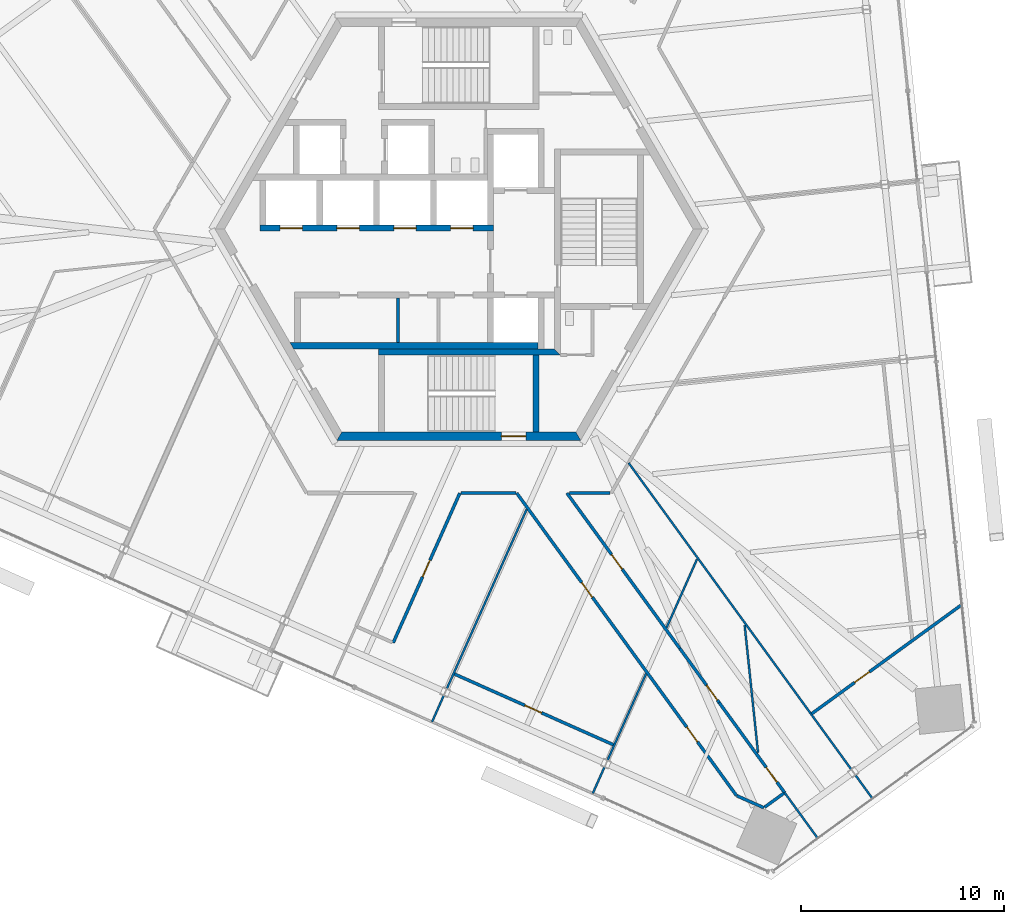
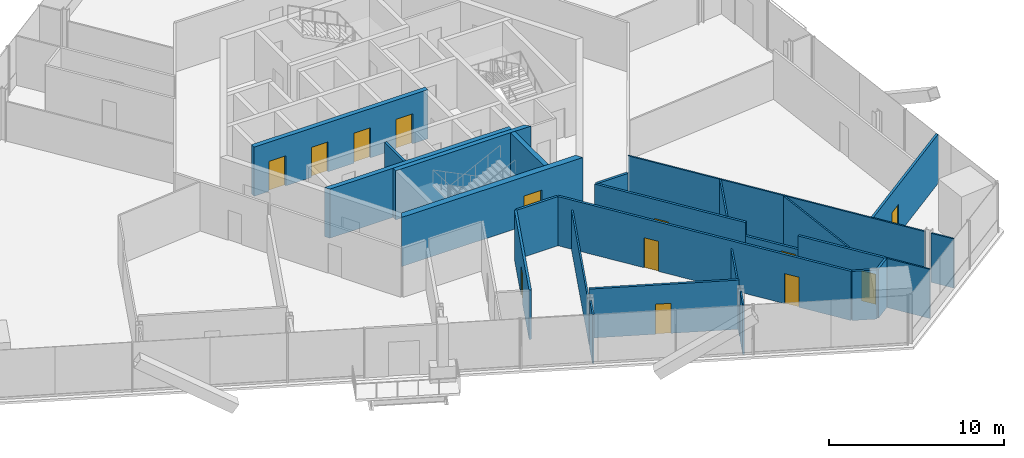
# One storey, part 11 of 18: 26 walls, 13 doors, 13 openings.
"""IFC4 building model written with IfcOpenShell, lengths in metres."""

from ifc_helpers import new_model, si_unit, direction, frame, frame_2d, origin, place, context, subcontext, project, spatial, polyline, rectangle, outline, extrude, source, transform, mapped, material, layer, layer_set, type_object, element, fill, save


model = new_model("IFC4")

# Units and contexts
model_context = context("Model", 3, precision=1e-05, world=origin(), true_north=direction((0.0, 1.0)))
body_context = subcontext(model_context, "Body", "Model", "MODEL_VIEW")
ifc_project = project(units=[si_unit("LENGTHUNIT", "METRE"), si_unit("AREAUNIT", "SQUARE_METRE"), si_unit("VOLUMEUNIT", "CUBIC_METRE"), si_unit("PLANEANGLEUNIT", "RADIAN"), si_unit("MASSUNIT", "GRAM", prefix="KILO")], contexts=[model_context])

# Site, building, storey
site_placement = place(None, origin())
site = spatial("IfcSite", under=ifc_project, at=site_placement, CompositionType="ELEMENT")
building_placement = place(site_placement, origin())
building = spatial("IfcBuilding", under=site, at=building_placement, Name="Triune Harvest Tower", CompositionType="ELEMENT")
storey_placement = place(building_placement, frame((0.0, 0.0, 83.699951171875)))
storey = spatial("IfcBuildingStorey", under=building, at=storey_placement, Name="L20", CompositionType="ELEMENT", Elevation=83.699951171875)

# Walls
ifc_material_1 = material(Name="Gypsum board on steel studs", Category="steel")
ifc_layer_1 = layer(ifc_material_1, 0.10009765625)
ifc_layer_set_1 = layer_set([ifc_layer_1], Name="Gypsum board on steel studs")
wall_type_1 = type_object("IfcWallType", Name="Partition 100 mm", PredefinedType="PARTITIONING", material=ifc_layer_set_1)
wall_1_placement = place(storey_placement, frame((7.323486328125, -26.144775390625, 0.0), z_axis=(0.0, 0.0, 1.0), x_axis=(0.406780377574, 0.913525984535, 0.0)))
element("IfcWall", 1, at=wall_1_placement, inside=storey, type_object=wall_type_1, Name="Partition L20 043", PredefinedType="PARTITIONING", context=body_context, shape_type="SweptSolid", body=[
    extrude(rectangle(XDim=4.657470703125, YDim=0.10009765625, at=frame_2d((2.32861328125, 0.0))), origin(), (0.0, 0.0, 1.0), 2.904052734375),
])
wall_2_placement = place(storey_placement, frame((-0.58984375, -22.62158203125, 0.0), z_axis=(0.0, 0.0, 1.0), x_axis=(0.406748136675, 0.913540340276, 0.0)))
element("IfcWall", 2, at=wall_2_placement, inside=storey, type_object=wall_type_1, Name="Partition L20 046", PredefinedType="PARTITIONING", context=body_context, shape_type="SweptSolid", body=[
    extrude(rectangle(XDim=9.658935546875, YDim=0.10009765625, at=frame_2d((4.82958984375, 0.0))), origin(), (0.0, 0.0, 1.0), 2.7568359375),
])

# Wall, opening, door
ifc_material_2 = material(Name="Concrete 70 MPa", Category="concrete")
ifc_layer_2 = layer(ifc_material_2, 0.39990234375)
ifc_layer_set_2 = layer_set([ifc_layer_2], Name="Concrete 70 MPa")
wall_type_2 = type_object("IfcWallType", Name="Core wall 400", PredefinedType="SHEAR", material=ifc_layer_set_2)
shared_shape_1 = source(origin(), body_context, "Body", "SweptSolid", [
    extrude(outline(polyline([(-0.115478515625, -0.199951171875), (11.884521484375, -0.199951171875), (11.653564453125, 0.199951171875), (0.115478515625, 0.199951171875), (-0.115478515625, -0.199951171875)])), origin(), (0.0, 0.0, 1.0), 3.43994140625),
])
wall_3_placement = place(storey_placement, frame((-5.884521484375, -10.1923828125, 0.0), z_axis=(0.0, 0.0, 1.0), x_axis=(1.0, 0.0, 0.0)))
wall_3 = element("IfcWall", 3, at=wall_3_placement, inside=storey, type_object=wall_type_2, Name="Hexagon 4 wall", PredefinedType="SHEAR", context=body_context, shape_type="MappedRepresentation", body=[
    mapped(shared_shape_1, transform((0.0, 0.0, 0.0), scale=1.0)),
])
opening_1_placement = place(wall_3_placement, frame((7.984619140625, 0.0, 0.0)))
opening_1 = element("IfcOpeningElement", 4, at=opening_1_placement, cuts=wall_3, Name="Opening CD-S2P", PredefinedType="OPENING", context=body_context, shape_type="SweptSolid", body=[
    extrude(rectangle(XDim=1.199951171875, YDim=2.10009765625, at=frame_2d((0.60009765625, 1.050048828125))), frame((0.0, 0.2099609375, 0.0), z_axis=(0.0, -1.0, 0.0), x_axis=(1.0, 0.0, 0.0)), (0.0, 0.0, 1.0), 0.419921875),
])
ifc_material_3 = material(Name="Steel S235", Category="steel")
door_type_1 = type_object("IfcDoorType", Name="Stair door 1200 FD120", OperationType="SINGLE_SWING_LEFT", PredefinedType="DOOR", material=ifc_material_3)
door_1_placement = place(opening_1_placement, frame((1.199951171875, 0.0, 0.0), z_axis=(0.0, 0.0, 1.0), x_axis=(-1.0, 0.0, 0.0)))
door_1 = element("IfcDoor", 5, at=door_1_placement, inside=storey, type_object=door_type_1, Name="Door CD-S2P", OperationType="SINGLE_SWING_RIGHT", OverallHeight=2.10009765625, OverallWidth=1.199951171875, PredefinedType="DOOR", context=body_context, shape_type="SweptSolid", body=[
    extrude(rectangle(XDim=1.199951171875, YDim=2.10009765625, at=frame_2d((0.60009765625, 1.050048828125))), frame((0.0, 0.02490234375, 0.0), z_axis=(0.0, -1.0, 0.0), x_axis=(1.0, 0.0, 0.0)), (0.0, 0.0, 1.0), 0.050048828125),
])
fill(opening_1, door_1)

# Wall, openings, doors
ifc_material_4 = material(Name="Concrete 70 MPa", Category="concrete")
ifc_layer_3 = layer(ifc_material_4, 0.300048828125)
ifc_layer_set_3 = layer_set([ifc_layer_3], Name="Concrete 70 MPa")
wall_type_3 = type_object("IfcWallType", Name="Core wall 300", PredefinedType="SHEAR", material=ifc_layer_set_3)
shared_shape_2 = source(origin(), body_context, "Body", "SweptSolid", [
    extrude(rectangle(XDim=11.5, YDim=0.300048828125, at=frame_2d((5.75, 0.0))), origin(), (0.0, 0.0, 1.0), 3.43994140625),
])
wall_4_placement = place(storey_placement, frame((-9.800048828125, 0.06005859375, 0.0), z_axis=(0.0, 0.0, 1.0), x_axis=(1.0, 0.0, 0.0)))
wall_4 = element("IfcWall", 6, at=wall_4_placement, inside=storey, type_object=wall_type_3, Name="North front wall", PredefinedType="SHEAR", context=body_context, shape_type="MappedRepresentation", body=[
    mapped(shared_shape_2, transform((0.0, 0.0, 0.0), scale=1.0)),
])
opening_2_placement = place(wall_4_placement, frame((1.0, 0.0, 0.0)))
opening_2 = element("IfcOpeningElement", 7, at=opening_2_placement, cuts=wall_4, Name="Opening LD-LR1-20", PredefinedType="OPENING", context=body_context, shape_type="SweptSolid", body=[
    extrude(rectangle(XDim=1.10009765625, YDim=2.10009765625, at=frame_2d((0.550048828125, 1.050048828125))), frame((0.0, 0.16015625, 0.0), z_axis=(0.0, -1.0, 0.0), x_axis=(1.0, 0.0, 0.0)), (0.0, 0.0, 1.0), 0.320068359375),
])
opening_3_placement = place(wall_4_placement, frame((3.800048828125, 0.0, 0.0)))
opening_3 = element("IfcOpeningElement", 8, at=opening_3_placement, cuts=wall_4, Name="Opening LD-LR2-20", PredefinedType="OPENING", context=body_context, shape_type="SweptSolid", body=[
    extrude(rectangle(XDim=1.10009765625, YDim=2.10009765625, at=frame_2d((0.550048828125, 1.050048828125))), frame((0.0, 0.16015625, 0.0), z_axis=(0.0, -1.0, 0.0), x_axis=(1.0, 0.0, 0.0)), (0.0, 0.0, 1.0), 0.320068359375),
])
opening_4_placement = place(wall_4_placement, frame((6.60009765625, 0.0, 0.0)))
opening_4 = element("IfcOpeningElement", 9, at=opening_4_placement, cuts=wall_4, Name="Opening LD-LR3-20", PredefinedType="OPENING", context=body_context, shape_type="SweptSolid", body=[
    extrude(rectangle(XDim=1.10009765625, YDim=2.10009765625, at=frame_2d((0.550048828125, 1.050048828125))), frame((0.0, 0.16015625, 0.0), z_axis=(0.0, -1.0, 0.0), x_axis=(1.0, 0.0, 0.0)), (0.0, 0.0, 1.0), 0.320068359375),
])
opening_5_placement = place(wall_4_placement, frame((9.39990234375, 0.0, 0.0)))
opening_5 = element("IfcOpeningElement", 10, at=opening_5_placement, cuts=wall_4, Name="Opening LD-LR4-20", PredefinedType="OPENING", context=body_context, shape_type="SweptSolid", body=[
    extrude(rectangle(XDim=1.10009765625, YDim=2.10009765625, at=frame_2d((0.550048828125, 1.050048828125))), frame((0.0, 0.16015625, 0.0), z_axis=(0.0, -1.0, 0.0), x_axis=(1.0, 0.0, 0.0)), (0.0, 0.0, 1.0), 0.320068359375),
])
ifc_material_5 = material(Name="Stainless steel AISI 304", Category="steel")
door_type_2 = type_object("IfcDoorType", Name="Landing door 1100 x 2100", OperationType="DOUBLE_DOOR_SLIDING", PredefinedType="DOOR", material=ifc_material_5)
door_2_placement = place(opening_2_placement, origin())
door_2 = element("IfcDoor", 11, at=door_2_placement, inside=storey, type_object=door_type_2, Name="Door LD-LR1-20", OperationType="DOUBLE_DOOR_SLIDING", OverallHeight=2.10009765625, OverallWidth=1.10009765625, PredefinedType="DOOR", context=body_context, shape_type="SweptSolid", body=[
    extrude(rectangle(XDim=1.10009765625, YDim=2.10009765625, at=frame_2d((0.550048828125, 1.050048828125))), frame((0.0, 0.02490234375, 0.0), z_axis=(0.0, -1.0, 0.0), x_axis=(1.0, 0.0, 0.0)), (0.0, 0.0, 1.0), 0.050048828125),
])
fill(opening_2, door_2)
door_3_placement = place(opening_3_placement, origin())
door_3 = element("IfcDoor", 12, at=door_3_placement, inside=storey, type_object=door_type_2, Name="Door LD-LR2-20", OperationType="DOUBLE_DOOR_SLIDING", OverallHeight=2.10009765625, OverallWidth=1.10009765625, PredefinedType="DOOR", context=body_context, shape_type="SweptSolid", body=[
    extrude(rectangle(XDim=1.10009765625, YDim=2.10009765625, at=frame_2d((0.550048828125, 1.050048828125))), frame((0.0, 0.02490234375, 0.0), z_axis=(0.0, -1.0, 0.0), x_axis=(1.0, 0.0, 0.0)), (0.0, 0.0, 1.0), 0.050048828125),
])
fill(opening_3, door_3)
door_4_placement = place(opening_4_placement, origin())
door_4 = element("IfcDoor", 13, at=door_4_placement, inside=storey, type_object=door_type_2, Name="Door LD-LR3-20", OperationType="DOUBLE_DOOR_SLIDING", OverallHeight=2.10009765625, OverallWidth=1.10009765625, PredefinedType="DOOR", context=body_context, shape_type="SweptSolid", body=[
    extrude(rectangle(XDim=1.10009765625, YDim=2.10009765625, at=frame_2d((0.550048828125, 1.050048828125))), frame((0.0, 0.02490234375, 0.0), z_axis=(0.0, -1.0, 0.0), x_axis=(1.0, 0.0, 0.0)), (0.0, 0.0, 1.0), 0.050048828125),
])
fill(opening_4, door_4)
door_5_placement = place(opening_5_placement, origin())
door_5 = element("IfcDoor", 14, at=door_5_placement, inside=storey, type_object=door_type_2, Name="Door LD-LR4-20", OperationType="DOUBLE_DOOR_SLIDING", OverallHeight=2.10009765625, OverallWidth=1.10009765625, PredefinedType="DOOR", context=body_context, shape_type="SweptSolid", body=[
    extrude(rectangle(XDim=1.10009765625, YDim=2.10009765625, at=frame_2d((0.550048828125, 1.050048828125))), frame((0.0, 0.02490234375, 0.0), z_axis=(0.0, -1.0, 0.0), x_axis=(1.0, 0.0, 0.0)), (0.0, 0.0, 1.0), 0.050048828125),
])
fill(opening_5, door_5)

# Walls
shared_shape_3 = source(origin(), body_context, "Body", "SweptSolid", [
    extrude(outline(polyline([(12.0, -0.14990234375), (-0.039794921875, -0.14990234375), (-0.212890625, 0.14990234375), (12.0, 0.14990234375), (12.0, -0.14990234375)])), origin(), (0.0, 0.0, 1.0), 3.43994140625),
])
wall_5_placement = place(storey_placement, frame((-8.10009765625, -5.739990234375, 0.0), z_axis=(0.0, 0.0, 1.0), x_axis=(1.0, 0.0, 0.0)))
element("IfcWall", 15, at=wall_5_placement, inside=storey, type_object=wall_type_3, Name="South back wall", PredefinedType="SHEAR", context=body_context, shape_type="MappedRepresentation", body=[
    mapped(shared_shape_3, transform((0.0, 0.0, 0.0), scale=1.0)),
])
shared_shape_4 = source(origin(), body_context, "Body", "SweptSolid", [
    extrude(outline(polyline([(0.0, -0.14990234375), (8.949951171875, -0.14990234375), (8.64990234375, 0.14990234375), (0.0, 0.14990234375), (0.0, -0.14990234375)])), origin(), (0.0, 0.0, 1.0), 3.43994140625),
])
wall_6_placement = place(storey_placement, frame((-3.949951171875, -6.0400390625, 0.0), z_axis=(0.0, 0.0, 1.0), x_axis=(1.0, 0.0, 0.0)))
element("IfcWall", 16, at=wall_6_placement, inside=storey, type_object=wall_type_3, Name="Stair s north wall", PredefinedType="SHEAR", context=body_context, shape_type="MappedRepresentation", body=[
    mapped(shared_shape_4, transform((0.0, 0.0, 0.0), scale=1.0)),
])
shared_shape_5 = source(origin(), body_context, "Body", "SweptSolid", [
    extrude(outline(polyline([(3.800048828125, -0.14990234375), (-0.00439453125, -0.14990234375), (-0.00439453125, 0.14990234375), (3.800048828125, 0.14990234375), (3.800048828125, -0.14990234375)])), origin(), (0.0, 0.0, 1.0), 3.43994140625),
])
wall_7_placement = place(storey_placement, frame((3.800048828125, -9.989990234375, 0.0), z_axis=(0.0, 0.0, 1.0), x_axis=(0.0, 1.0, 0.0)))
element("IfcWall", 17, at=wall_7_placement, inside=storey, type_object=wall_type_3, Name="Stair s east wall", PredefinedType="SHEAR", context=body_context, shape_type="MappedRepresentation", body=[
    mapped(shared_shape_5, transform((0.0, 0.0, 0.0), scale=1.0)),
])
ifc_material_6 = material(Name="Concrete masonry unit", Category="masonry")
ifc_layer_4 = layer(ifc_material_6, 0.14990234375)
ifc_layer_set_4 = layer_set([ifc_layer_4], Name="Concrete masonry unit")
wall_type_4 = type_object("IfcWallType", Name="Block partition 150", PredefinedType="PARTITIONING", material=ifc_layer_set_4)
shared_shape_6 = source(origin(), body_context, "Body", "SweptSolid", [
    extrude(rectangle(XDim=2.2001953125, YDim=0.14990234375, at=frame_2d((1.10009765625, 0.0))), origin(), (0.0, 0.0, 1.0), 3.43994140625),
])
wall_8_placement = place(storey_placement, frame((-3.0, -5.590087890625, 0.0), z_axis=(0.0, 0.0, 1.0), x_axis=(0.0, 1.0, 0.0)))
element("IfcWall", 18, at=wall_8_placement, inside=storey, type_object=wall_type_4, Name="Row s part 1 wall", PredefinedType="PARTITIONING", context=body_context, shape_type="MappedRepresentation", body=[
    mapped(shared_shape_6, transform((0.0, 0.0, 0.0), scale=1.0)),
])
shared_shape_7 = source(origin(), body_context, "Body", "SweptSolid", [
    extrude(rectangle(XDim=1.41845703125, YDim=0.10009765625, at=frame_2d((0.709228515625, 0.0))), origin(), (0.0, 0.0, 1.0), 3.43994140625),
])
for number, where, z_axis, x_axis, name in (
    (19, (19.536865234375, -26.890380859375, 0.0), (0.0, 0.0, 1.0), (0.587813429905, -0.808996521392, 0.0), "Partition L20 019"),
    (20, (-1.318603515625, -24.2587890625, 0.0), (0.0, 0.0, 1.0), (0.406697305895, 0.913562970669, 0.0), "Partition L20 045"),
):
    element("IfcWall", number, at=place(storey_placement, frame(where, z_axis=z_axis, x_axis=x_axis)), inside=storey, type_object=wall_type_1, Name=name, PredefinedType="PARTITIONING", context=body_context, shape_type="MappedRepresentation", body=[
        mapped(shared_shape_7, transform((0.0, 0.0, 0.0), scale=1.0)),
    ])
shared_shape_8 = source(origin(), body_context, "Body", "SweptSolid", [
    extrude(rectangle(XDim=1.418701171875, YDim=0.10009765625, at=frame_2d((0.70947265625, 0.0))), origin(), (0.0, 0.0, 1.0), 3.43994140625),
])
wall_9_placement = place(storey_placement, frame((6.594482421875, -27.781982421875, 0.0), z_axis=(0.0, 0.0, 1.0), x_axis=(0.40684093384, 0.913499017269, 0.0)))
element("IfcWall", 21, at=wall_9_placement, inside=storey, type_object=wall_type_1, Name="Partition L20 042", PredefinedType="PARTITIONING", context=body_context, shape_type="MappedRepresentation", body=[
    mapped(shared_shape_8, transform((0.0, 0.0, 0.0), scale=1.0)),
])
shared_shape_9 = source(origin(), body_context, "Body", "SweptSolid", [
    extrude(rectangle(XDim=6.312255859375, YDim=0.10009765625, at=frame_2d((3.15625, 0.0))), origin(), (0.0, 0.0, 1.0), 3.43994140625),
])
wall_10_placement = place(storey_placement, frame((14.07421875, -19.4990234375, 0.0), z_axis=(0.0, 0.0, 1.0), x_axis=(0.104507606419, -0.99452408729, 0.0)))
element("IfcWall", 22, at=wall_10_placement, inside=storey, type_object=wall_type_1, Name="Partition L20 001", PredefinedType="PARTITIONING", context=body_context, shape_type="MappedRepresentation", body=[
    mapped(shared_shape_9, transform((0.0, 0.0, 0.0), scale=1.0)),
])
ifc_material_7 = material(Name="Gypsum board on steel studs", Category="steel")
ifc_layer_5 = layer(ifc_material_7, 0.14990234375)
ifc_layer_set_5 = layer_set([ifc_layer_5], Name="Gypsum board on steel studs")
wall_type_5 = type_object("IfcWallType", Name="Fire Partition 150 mm", PredefinedType="PARTITIONING", material=ifc_layer_set_5)
shared_shape_10 = source(origin(), body_context, "Body", "SweptSolid", [
    extrude(rectangle(XDim=2.00927734375, YDim=0.14990234375, at=frame_2d((1.004638671875, 0.0))), origin(), (0.0, 0.0, 1.0), 3.43994140625),
])
wall_11_placement = place(storey_placement, frame((5.44189453125, -12.9921875, 0.0), z_axis=(0.0, 0.0, 1.0), x_axis=(1.0, 0.0, 0.0)))
element("IfcWall", 23, at=wall_11_placement, inside=storey, type_object=wall_type_5, Name="Partition L20 028", PredefinedType="PARTITIONING", context=body_context, shape_type="MappedRepresentation", body=[
    mapped(shared_shape_10, transform((0.0, 0.0, 0.0), scale=1.0)),
])

# Wall, opening, door
shared_shape_11 = source(origin(), body_context, "Body", "SweptSolid", [
    extrude(rectangle(XDim=8.0693359375, YDim=0.14990234375, at=frame_2d((4.03466796875, 0.0))), origin(), (0.0, 0.0, 1.0), 3.43994140625),
])
wall_12_placement = place(storey_placement, frame((-3.23095703125, -20.364013671875, 0.0), z_axis=(0.0, 0.0, 1.0), x_axis=(0.406719469234, 0.913553103736, 0.0)))
wall_12 = element("IfcWall", 24, at=wall_12_placement, inside=storey, type_object=wall_type_5, Name="Partition L20 047", PredefinedType="PARTITIONING", context=body_context, shape_type="MappedRepresentation", body=[
    mapped(shared_shape_11, transform((0.0, 0.0, 0.0), scale=1.0)),
])
opening_6_placement = place(wall_12_placement, frame((3.549072265625, 0.0, 0.0)))
opening_6 = element("IfcOpeningElement", 25, at=opening_6_placement, cuts=wall_12, Name="Opening L20-016", PredefinedType="OPENING", context=body_context, shape_type="SweptSolid", body=[
    extrude(rectangle(XDim=0.89990234375, YDim=2.10009765625, at=frame_2d((0.449951171875, 1.050048828125))), frame((0.0, 0.0849609375, 0.0), z_axis=(0.0, -1.0, 0.0), x_axis=(1.0, 0.0, 0.0)), (0.0, 0.0, 1.0), 0.169921875),
])
ifc_material_8 = material(Name="Timber and steel door set", Category="steel")
door_type_3 = type_object("IfcDoorType", Name="Single leaf door FD30 right hand 900 x 2100", OperationType="SINGLE_SWING_RIGHT", PredefinedType="DOOR", material=ifc_material_8)
door_6_placement = place(opening_6_placement, origin())
door_6 = element("IfcDoor", 26, at=door_6_placement, inside=storey, type_object=door_type_3, Name="Door L20-016 Meeting Room 20.16", OperationType="SINGLE_SWING_RIGHT", OverallHeight=2.10009765625, OverallWidth=0.89990234375, PredefinedType="DOOR", context=body_context, shape_type="SweptSolid", body=[
    extrude(rectangle(XDim=0.89990234375, YDim=2.10009765625, at=frame_2d((0.449951171875, 1.050048828125))), frame((0.0, 0.02490234375, 0.0), z_axis=(0.0, -1.0, 0.0), x_axis=(1.0, 0.0, 0.0)), (0.0, 0.0, 1.0), 0.050048828125),
])
fill(opening_6, door_6)

# Wall, openings, doors
shared_shape_12 = source(origin(), body_context, "Body", "SweptSolid", [
    extrude(rectangle(XDim=18.41552734375, YDim=0.14990234375, at=frame_2d((9.207763671875, 0.0))), origin(), (0.0, 0.0, 1.0), 3.43994140625),
])
wall_13_placement = place(storey_placement, frame((2.849853515625, -12.9921875, 0.0), z_axis=(0.0, 0.0, 1.0), x_axis=(0.587780642762, -0.809020343375, 0.0)))
wall_13 = element("IfcWall", 27, at=wall_13_placement, inside=storey, type_object=wall_type_5, Name="Partition L20 011", PredefinedType="PARTITIONING", context=body_context, shape_type="MappedRepresentation", body=[
    mapped(shared_shape_12, transform((0.0, 0.0, 0.0), scale=1.0)),
])
opening_7_placement = place(wall_13_placement, frame((5.444091796875, 0.0, 0.0)))
opening_7 = element("IfcOpeningElement", 28, at=opening_7_placement, cuts=wall_13, Name="Opening L20-017", PredefinedType="OPENING", context=body_context, shape_type="SweptSolid", body=[
    extrude(rectangle(XDim=0.89990234375, YDim=2.10009765625, at=frame_2d((0.449951171875, 1.050048828125))), frame((0.0, 0.0849609375, 0.0), z_axis=(0.0, -1.0, 0.0), x_axis=(1.0, 0.0, 0.0)), (0.0, 0.0, 1.0), 0.169921875),
])
opening_8_placement = place(wall_13_placement, frame((14.24658203125, 0.0, 0.0)))
opening_8 = element("IfcOpeningElement", 29, at=opening_8_placement, cuts=wall_13, Name="Opening L20-020", PredefinedType="OPENING", context=body_context, shape_type="SweptSolid", body=[
    extrude(rectangle(XDim=0.89990234375, YDim=2.10009765625, at=frame_2d((0.449951171875, 1.050048828125))), frame((0.0, 0.0849609375, 0.0), z_axis=(0.0, -1.0, 0.0), x_axis=(1.0, 0.0, 0.0)), (0.0, 0.0, 1.0), 0.169921875),
])
ifc_material_9 = material(Name="Timber and steel door set", Category="steel")
door_type_4 = type_object("IfcDoorType", Name="Single leaf door FD30 left hand 900 x 2100", OperationType="SINGLE_SWING_LEFT", PredefinedType="DOOR", material=ifc_material_9)
door_7_placement = place(opening_8_placement, origin())
door_7 = element("IfcDoor", 30, at=door_7_placement, inside=storey, type_object=door_type_4, Name="Door L20-020 Meeting Room 20.20", OperationType="SINGLE_SWING_LEFT", OverallHeight=2.10009765625, OverallWidth=0.89990234375, PredefinedType="DOOR", context=body_context, shape_type="SweptSolid", body=[
    extrude(rectangle(XDim=0.89990234375, YDim=2.10009765625, at=frame_2d((0.449951171875, 1.050048828125))), frame((0.0, 0.02490234375, 0.0), z_axis=(0.0, -1.0, 0.0), x_axis=(1.0, 0.0, 0.0)), (0.0, 0.0, 1.0), 0.050048828125),
])
fill(opening_8, door_7)
door_8_placement = place(opening_7_placement, origin())
door_8 = element("IfcDoor", 31, at=door_8_placement, inside=storey, type_object=door_type_3, Name="Door L20-017 Tasting Room 20.17", OperationType="SINGLE_SWING_RIGHT", OverallHeight=2.10009765625, OverallWidth=0.89990234375, PredefinedType="DOOR", context=body_context, shape_type="SweptSolid", body=[
    extrude(rectangle(XDim=0.89990234375, YDim=2.10009765625, at=frame_2d((0.449951171875, 1.050048828125))), frame((0.0, 0.02490234375, 0.0), z_axis=(0.0, -1.0, 0.0), x_axis=(1.0, 0.0, 0.0)), (0.0, 0.0, 1.0), 0.050048828125),
])
fill(opening_7, door_8)

# Wall, opening, door
shared_shape_13 = source(origin(), body_context, "Body", "SweptSolid", [
    extrude(rectangle(XDim=9.4619140625, YDim=0.14990234375, at=frame_2d((4.73095703125, 0.0))), origin(), (0.0, 0.0, 1.0), 3.43994140625),
])
wall_14_placement = place(storey_placement, frame((5.322021484375, -12.9921875, 0.0), z_axis=(0.0, 0.0, 1.0), x_axis=(0.587785008714, -0.809017171345, 0.0)))
wall_14 = element("IfcWall", 32, at=wall_14_placement, inside=storey, type_object=wall_type_5, Name="Partition L20 014", PredefinedType="PARTITIONING", context=body_context, shape_type="MappedRepresentation", body=[
    mapped(shared_shape_13, transform((0.0, 0.0, 0.0), scale=1.0)),
])
opening_9_placement = place(wall_14_placement, frame((3.738525390625, 0.0, 0.0)))
opening_9 = element("IfcOpeningElement", 33, at=opening_9_placement, cuts=wall_14, Name="Opening L20-018", PredefinedType="OPENING", context=body_context, shape_type="SweptSolid", body=[
    extrude(rectangle(XDim=0.89990234375, YDim=2.10009765625, at=frame_2d((0.449951171875, 1.050048828125))), frame((0.0, 0.0849609375, 0.0), z_axis=(0.0, -1.0, 0.0), x_axis=(1.0, 0.0, 0.0)), (0.0, 0.0, 1.0), 0.169921875),
])
door_9_placement = place(opening_9_placement, origin())
door_9 = element("IfcDoor", 34, at=door_9_placement, inside=storey, type_object=door_type_4, Name="Door L20-018 Tasting Room 20.18", OperationType="SINGLE_SWING_LEFT", OverallHeight=2.10009765625, OverallWidth=0.89990234375, PredefinedType="DOOR", context=body_context, shape_type="SweptSolid", body=[
    extrude(rectangle(XDim=0.89990234375, YDim=2.10009765625, at=frame_2d((0.449951171875, 1.050048828125))), frame((0.0, 0.02490234375, 0.0), z_axis=(0.0, -1.0, 0.0), x_axis=(1.0, 0.0, 0.0)), (0.0, 0.0, 1.0), 0.050048828125),
])
fill(opening_9, door_9)

shared_shape_14 = source(origin(), body_context, "Body", "SweptSolid", [
    extrude(rectangle(XDim=3.28662109375, YDim=0.14990234375, at=frame_2d((1.643310546875, 0.0))), origin(), (0.0, 0.0, 1.0), 2.49755859375),
])
wall_15_placement = place(storey_placement, frame((10.883544921875, -20.64697265625, 0.0), z_axis=(0.0, 0.0, 1.0), x_axis=(0.587747586652, -0.809044358725, 0.0)))
wall_15 = element("IfcWall", 35, at=wall_15_placement, inside=storey, type_object=wall_type_5, Name="Partition L20 014a", PredefinedType="PARTITIONING", context=body_context, shape_type="MappedRepresentation", body=[
    mapped(shared_shape_14, transform((0.0, 0.0, 0.0), scale=1.0)),
])
opening_10_placement = place(wall_15_placement, frame((2.236572265625, 0.0, 0.0)))
opening_10 = element("IfcOpeningElement", 36, at=opening_10_placement, cuts=wall_15, Name="Opening L20-021", PredefinedType="OPENING", context=body_context, shape_type="SweptSolid", body=[
    extrude(rectangle(XDim=0.89990234375, YDim=2.10009765625, at=frame_2d((0.449951171875, 1.050048828125))), frame((0.0, 0.0849609375, 0.0), z_axis=(0.0, -1.0, 0.0), x_axis=(1.0, 0.0, 0.0)), (0.0, 0.0, 1.0), 0.169921875),
])
door_10_placement = place(opening_10_placement, origin())
door_10 = element("IfcDoor", 37, at=door_10_placement, inside=storey, type_object=door_type_3, Name="Door L20-021 Meeting Room 20.21", OperationType="SINGLE_SWING_RIGHT", OverallHeight=2.10009765625, OverallWidth=0.89990234375, PredefinedType="DOOR", context=body_context, shape_type="SweptSolid", body=[
    extrude(rectangle(XDim=0.89990234375, YDim=2.10009765625, at=frame_2d((0.449951171875, 1.050048828125))), frame((0.0, 0.02490234375, 0.0), z_axis=(0.0, -1.0, 0.0), x_axis=(1.0, 0.0, 0.0)), (0.0, 0.0, 1.0), 0.050048828125),
])
fill(opening_10, door_10)

shared_shape_15 = source(origin(), body_context, "Body", "SweptSolid", [
    extrude(rectangle(XDim=5.489013671875, YDim=0.14990234375, at=frame_2d((2.74462890625, 0.0))), origin(), (0.0, 0.0, 1.0), 3.43994140625),
])
wall_16_placement = place(storey_placement, frame((12.815185546875, -23.305908203125, 0.0), z_axis=(0.0, 0.0, 1.0), x_axis=(0.587811974439, -0.808997578925, 0.0)))
wall_16 = element("IfcWall", 38, at=wall_16_placement, inside=storey, type_object=wall_type_5, Name="Partition L20 014b", PredefinedType="PARTITIONING", context=body_context, shape_type="MappedRepresentation", body=[
    mapped(shared_shape_15, transform((0.0, 0.0, 0.0), scale=1.0)),
])
opening_11_placement = place(wall_16_placement, frame((3.94921875, 0.0, 0.0)))
opening_11 = element("IfcOpeningElement", 39, at=opening_11_placement, cuts=wall_16, Name="Opening L20-022", PredefinedType="OPENING", context=body_context, shape_type="SweptSolid", body=[
    extrude(rectangle(XDim=0.89990234375, YDim=2.10009765625, at=frame_2d((0.449951171875, 1.050048828125))), frame((0.0, 0.0849609375, 0.0), z_axis=(0.0, -1.0, 0.0), x_axis=(1.0, 0.0, 0.0)), (0.0, 0.0, 1.0), 0.169921875),
])
door_11_placement = place(opening_11_placement, origin())
door_11 = element("IfcDoor", 40, at=door_11_placement, inside=storey, type_object=door_type_3, Name="Door L20-022 Tasting Room 20.22", OperationType="SINGLE_SWING_RIGHT", OverallHeight=2.10009765625, OverallWidth=0.89990234375, PredefinedType="DOOR", context=body_context, shape_type="SweptSolid", body=[
    extrude(rectangle(XDim=0.89990234375, YDim=2.10009765625, at=frame_2d((0.449951171875, 1.050048828125))), frame((0.0, 0.02490234375, 0.0), z_axis=(0.0, -1.0, 0.0), x_axis=(1.0, 0.0, 0.0)), (0.0, 0.0, 1.0), 0.050048828125),
])
fill(opening_11, door_11)

# Walls
shared_shape_16 = source(origin(), body_context, "Body", "SweptSolid", [
    extrude(rectangle(XDim=2.780029296875, YDim=0.10009765625, at=frame_2d((1.39013671875, 0.0))), origin(), (0.0, 0.0, 1.0), 3.43994140625),
])
wall_17_placement = place(storey_placement, frame((16.041748046875, -27.74658203125, 0.0), z_axis=(0.0, 0.0, 1.0), x_axis=(0.587790438819, -0.809013226117, 0.0)))
element("IfcWall", 41, at=wall_17_placement, inside=storey, type_object=wall_type_1, Name="Partition L20 015", PredefinedType="PARTITIONING", context=body_context, shape_type="MappedRepresentation", body=[
    mapped(shared_shape_16, transform((0.0, 0.0, 0.0), scale=1.0)),
])
shared_shape_17 = source(origin(), body_context, "Body", "SweptSolid", [
    extrude(rectangle(XDim=18.642822265625, YDim=0.10009765625, at=frame_2d((9.3212890625, 0.0))), origin(), (0.0, 0.0, 1.0), 3.43994140625),
])
wall_18_placement = place(storey_placement, frame((8.359375, -11.505615234375, 0.0), z_axis=(0.0, 0.0, 1.0), x_axis=(0.587773729959, -0.809025365715, 0.0)))
element("IfcWall", 42, at=wall_18_placement, inside=storey, type_object=wall_type_1, Name="Partition L20 018", PredefinedType="PARTITIONING", context=body_context, shape_type="MappedRepresentation", body=[
    mapped(shared_shape_17, transform((0.0, 0.0, 0.0), scale=1.0)),
])

# Wall, opening, door
shared_shape_18 = source(origin(), body_context, "Body", "SweptSolid", [
    extrude(rectangle(XDim=8.63232421875, YDim=0.14990234375, at=frame_2d((4.316162109375, 0.0))), origin(), (0.0, 0.0, 1.0), 3.43994140625),
])
wall_19_placement = place(storey_placement, frame((-0.233642578125, -21.895751953125, 0.0), z_axis=(0.0, 0.0, 1.0), x_axis=(0.913548944102, -0.40672881227, 0.0)))
wall_19 = element("IfcWall", 43, at=wall_19_placement, inside=storey, type_object=wall_type_5, Name="Partition L20 021", PredefinedType="PARTITIONING", context=body_context, shape_type="MappedRepresentation", body=[
    mapped(shared_shape_18, transform((0.0, 0.0, 0.0), scale=1.0)),
])
opening_12_placement = place(wall_19_placement, frame((3.81982421875, 0.0, 0.0)))
opening_12 = element("IfcOpeningElement", 44, at=opening_12_placement, cuts=wall_19, Name="Opening L20-019", PredefinedType="OPENING", context=body_context, shape_type="SweptSolid", body=[
    extrude(rectangle(XDim=0.89990234375, YDim=2.10009765625, at=frame_2d((0.449951171875, 1.050048828125))), frame((0.0, 0.0849609375, 0.0), z_axis=(0.0, -1.0, 0.0), x_axis=(1.0, 0.0, 0.0)), (0.0, 0.0, 1.0), 0.169921875),
])
door_12_placement = place(opening_12_placement, origin())
door_12 = element("IfcDoor", 45, at=door_12_placement, inside=storey, type_object=door_type_3, Name="Door L20-019 Dry Store Room 20.19", OperationType="SINGLE_SWING_RIGHT", OverallHeight=2.10009765625, OverallWidth=0.89990234375, PredefinedType="DOOR", context=body_context, shape_type="SweptSolid", body=[
    extrude(rectangle(XDim=0.89990234375, YDim=2.10009765625, at=frame_2d((0.449951171875, 1.050048828125))), frame((0.0, 0.02490234375, 0.0), z_axis=(0.0, -1.0, 0.0), x_axis=(1.0, 0.0, 0.0)), (0.0, 0.0, 1.0), 0.050048828125),
])
fill(opening_12, door_12)

# Walls
shared_shape_19 = source(origin(), body_context, "Body", "SweptSolid", [
    extrude(rectangle(XDim=1.452392578125, YDim=0.14990234375, at=frame_2d((0.72607421875, 0.0))), origin(), (0.0, 0.0, 1.0), 3.43994140625),
])
wall_20_placement = place(storey_placement, frame((13.692626953125, -27.89892578125, 0.0), z_axis=(0.0, 0.0, 1.0), x_axis=(0.913506267732, -0.406824653646, 0.0)))
element("IfcWall", 46, at=wall_20_placement, inside=storey, type_object=wall_type_5, Name="Partition L20 023", PredefinedType="PARTITIONING", context=body_context, shape_type="MappedRepresentation", body=[
    mapped(shared_shape_19, transform((0.0, 0.0, 0.0), scale=1.0)),
])
shared_shape_20 = source(origin(), body_context, "Body", "SweptSolid", [
    extrude(rectangle(XDim=2.708740234375, YDim=0.14990234375, at=frame_2d((1.3544921875, 0.0))), origin(), (0.0, 0.0, 1.0), 3.43994140625),
])
wall_21_placement = place(storey_placement, frame((0.10107421875, -12.9921875, 0.0), z_axis=(0.0, 0.0, 1.0), x_axis=(1.0, 0.0, 0.0)))
element("IfcWall", 47, at=wall_21_placement, inside=storey, type_object=wall_type_5, Name="Partition L20 027", PredefinedType="PARTITIONING", context=body_context, shape_type="MappedRepresentation", body=[
    mapped(shared_shape_20, transform((0.0, 0.0, 0.0), scale=1.0)),
])
shared_shape_21 = source(origin(), body_context, "Body", "SweptSolid", [
    extrude(rectangle(XDim=1.1640625, YDim=0.14990234375, at=frame_2d((0.58203125, 0.0))), origin(), (0.0, 0.0, 1.0), 3.43994140625),
])
wall_22_placement = place(storey_placement, frame((15.0595703125, -28.460205078125, 0.0), z_axis=(0.0, 0.0, 1.0), x_axis=(0.808944633897, 0.587884835057, 0.0)))
element("IfcWall", 48, at=wall_22_placement, inside=storey, type_object=wall_type_5, Name="Partition L20 035", PredefinedType="PARTITIONING", context=body_context, shape_type="MappedRepresentation", body=[
    mapped(shared_shape_21, transform((0.0, 0.0, 0.0), scale=1.0)),
])

# Wall, opening, door
shared_shape_22 = source(origin(), body_context, "Body", "SweptSolid", [
    extrude(rectangle(XDim=9.13916015625, YDim=0.14990234375, at=frame_2d((4.569580078125, 0.0))), origin(), (0.0, 0.0, 1.0), 3.43994140625),
])
wall_23_placement = place(storey_placement, frame((17.372314453125, -23.8603515625, 0.0), z_axis=(0.0, 0.0, 1.0), x_axis=(0.809021319249, 0.587779299568, 0.0)))
wall_23 = element("IfcWall", 49, at=wall_23_placement, inside=storey, type_object=wall_type_5, Name="Partition L20 036", PredefinedType="PARTITIONING", context=body_context, shape_type="MappedRepresentation", body=[
    mapped(shared_shape_22, transform((0.0, 0.0, 0.0), scale=1.0)),
])
opening_13_placement = place(wall_23_placement, frame((2.6201171875, 0.0, 0.0)))
opening_13 = element("IfcOpeningElement", 50, at=opening_13_placement, cuts=wall_23, Name="Opening L20-002", PredefinedType="OPENING", context=body_context, shape_type="SweptSolid", body=[
    extrude(rectangle(XDim=0.89990234375, YDim=2.10009765625, at=frame_2d((0.449951171875, 1.050048828125))), frame((0.0, 0.0849609375, 0.0), z_axis=(0.0, -1.0, 0.0), x_axis=(1.0, 0.0, 0.0)), (0.0, 0.0, 1.0), 0.169921875),
])
door_13_placement = place(opening_13_placement, origin())
door_13 = element("IfcDoor", 51, at=door_13_placement, inside=storey, type_object=door_type_3, Name="Door L20-002 Dry Store Room 20.02", OperationType="SINGLE_SWING_RIGHT", OverallHeight=2.10009765625, OverallWidth=0.89990234375, PredefinedType="DOOR", context=body_context, shape_type="SweptSolid", body=[
    extrude(rectangle(XDim=0.89990234375, YDim=2.10009765625, at=frame_2d((0.449951171875, 1.050048828125))), frame((0.0, 0.02490234375, 0.0), z_axis=(0.0, -1.0, 0.0), x_axis=(1.0, 0.0, 0.0)), (0.0, 0.0, 1.0), 0.050048828125),
])
fill(opening_13, door_13)

# Wall
shared_shape_23 = source(origin(), body_context, "Body", "SweptSolid", [
    extrude(rectangle(XDim=3.686279296875, YDim=0.10009765625, at=frame_2d((1.84326171875, 0.0))), origin(), (0.0, 0.0, 1.0), 3.43994140625),
])
wall_24_placement = place(storey_placement, frame((10.230712890625, -19.615478515625, 0.0), z_axis=(0.0, 0.0, 1.0), x_axis=(0.406709864392, 0.913557379811, 0.0)))
element("IfcWall", 52, at=wall_24_placement, inside=storey, type_object=wall_type_1, Name="Partition L20 044", PredefinedType="PARTITIONING", context=body_context, shape_type="MappedRepresentation", body=[
    mapped(shared_shape_23, transform((0.0, 0.0, 0.0), scale=1.0)),
])

save(model, "model.ifc")
